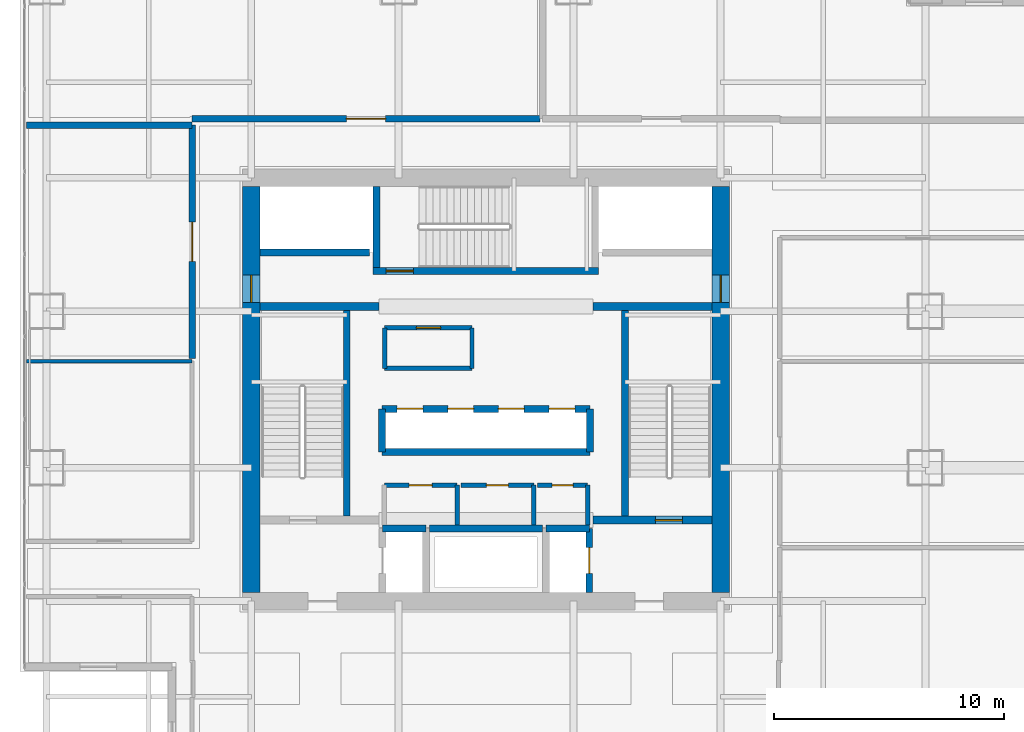
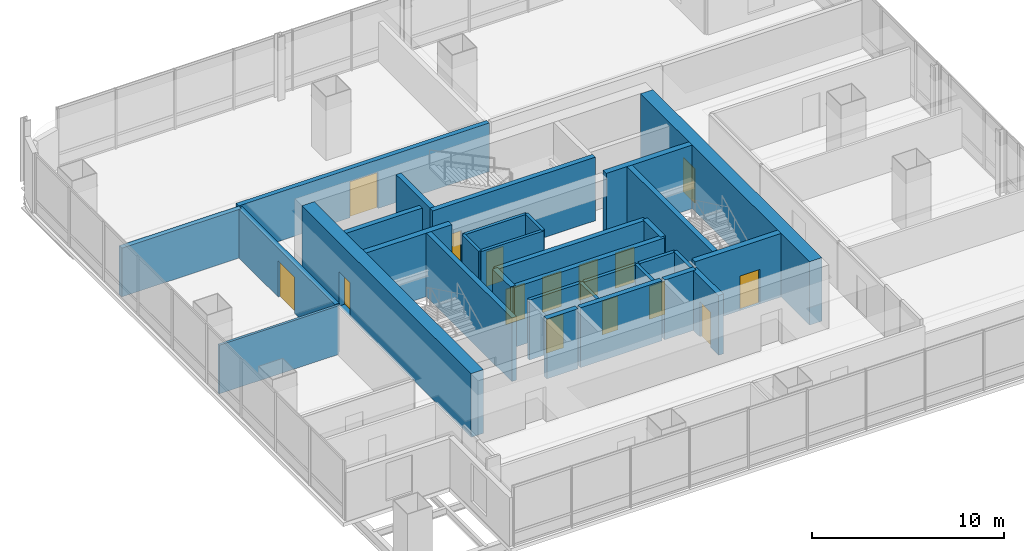
# One storey, part 28 of 35: 32 walls, 15 doors, 15 openings.
"""IFC4 building model written with IfcOpenShell, lengths in metres."""

from ifc_helpers import new_model, si_unit, direction, frame, frame_2d, origin, place, context, subcontext, project, spatial, rectangle, extrude, material, layer, layer_set, type_object, element, fill, save


model = new_model("IFC4")

# Units and contexts
model_context = context("Model", 3, precision=1e-05, world=origin(), true_north=direction((0.0, 1.0)))
body_context = subcontext(model_context, "Body", "Model", "MODEL_VIEW")
ifc_project = project(units=[si_unit("LENGTHUNIT", "METRE"), si_unit("AREAUNIT", "SQUARE_METRE"), si_unit("VOLUMEUNIT", "CUBIC_METRE"), si_unit("PLANEANGLEUNIT", "RADIAN"), si_unit("MASSUNIT", "GRAM", prefix="KILO")], contexts=[model_context])

# Site, building, storey
site_placement = place(None, origin())
site = spatial("IfcSite", under=ifc_project, at=site_placement, CompositionType="ELEMENT")
building_placement = place(site_placement, origin())
building = spatial("IfcBuilding", under=site, at=building_placement, Name="Punatoya Terracotta Tower", CompositionType="ELEMENT")
storey_placement = place(building_placement, frame((0.0, 0.0, 113.25)))
storey = spatial("IfcBuildingStorey", under=building, at=storey_placement, Name="L26", CompositionType="ELEMENT", Elevation=113.25)

# Wall
ifc_material_1 = material(Name="Concrete C40/50", Category="concrete")
ifc_layer_1 = layer(ifc_material_1, 0.280029296875)
ifc_layer_set_1 = layer_set([ifc_layer_1], Name="Concrete C40/50")
wall_type_1 = type_object("IfcWallType", Name="WL-AUD-280", PredefinedType="SOLIDWALL", material=ifc_layer_set_1)
wall_1_placement = place(storey_placement, frame((-19.969970703125, 11.489990234375, 0.0), z_axis=(0.0, 0.0, 1.0), x_axis=(1.0, 0.0, 0.0)))
element("IfcWall", 1, at=wall_1_placement, inside=storey, type_object=wall_type_1, Name="L26 Open-Plan Waterfront Club Lounge Partition 32", PredefinedType="SOLIDWALL", context=body_context, shape_type="SweptSolid", body=[
    extrude(rectangle(XDim=7.199951171875, YDim=0.280029296875, at=frame_2d((3.60009765625, 0.0))), origin(), (0.0, 0.0, 1.0), 3.10400390625),
])

# Wall, opening, door
wall_2_placement = place(storey_placement, frame((-12.77001953125, 11.489990234375, 0.0), z_axis=(0.0, 0.0, 1.0), x_axis=(0.0, -1.0, 0.0)))
wall_2 = element("IfcWall", 2, at=wall_2_placement, inside=storey, type_object=wall_type_1, Name="L26 Open-Plan Waterfront Club Lounge Partition 33", PredefinedType="SOLIDWALL", context=body_context, shape_type="SweptSolid", body=[
    extrude(rectangle(XDim=10.139892578125, YDim=0.280029296875, at=frame_2d((5.06982421875, 0.0))), origin(), (0.0, 0.0, 1.0), 3.10400390625),
])
opening_1_placement = place(wall_2_placement, frame((4.219970703125, 0.0, 0.0)))
opening_1 = element("IfcOpeningElement", 3, at=opening_1_placement, cuts=wall_2, Name="Opening FD-D1", PredefinedType="OPENING", context=body_context, shape_type="SweptSolid", body=[
    extrude(rectangle(XDim=1.699951171875, YDim=2.300048828125, at=frame_2d((0.85009765625, 1.14990234375))), frame((0.0, 0.14990234375, 0.0), z_axis=(0.0, -1.0, 0.0), x_axis=(1.0, 0.0, 0.0)), (0.0, 0.0, 1.0), 0.300048828125),
])
ifc_material_2 = material(Name="Timber Teak Veneer Fire Leaf", Category="wood")
door_type_1 = type_object("IfcDoorType", Name="DR-DIN-1700", OperationType="NOTDEFINED", PredefinedType="DOOR", material=ifc_material_2)
door_1_placement = place(opening_1_placement, origin())
door_1 = element("IfcDoor", 4, at=door_1_placement, inside=storey, type_object=door_type_1, Name="L26 Open-Plan Waterfront Club Lounge Fire Door", OperationType="DOUBLE_DOOR_SINGLE_SWING", OverallHeight=2.300048828125, OverallWidth=1.699951171875, PredefinedType="DOOR", context=body_context, shape_type="SweptSolid", body=[
    extrude(rectangle(XDim=1.699951171875, YDim=2.300048828125, at=frame_2d((0.85009765625, 1.14990234375))), frame((0.0, 0.02490234375, 0.0), z_axis=(0.0, -1.0, 0.0), x_axis=(1.0, 0.0, 0.0)), (0.0, 0.0, 1.0), 0.050048828125),
])
fill(opening_1, door_1)

wall_3_placement = place(storey_placement, frame((2.340087890625, 11.77001953125, 0.0), z_axis=(0.0, 0.0, 1.0), x_axis=(-1.0, 0.0, 0.0)))
wall_3 = element("IfcWall", 5, at=wall_3_placement, inside=storey, type_object=wall_type_1, Name="L26 Hospitality Hosting Lounge Partition 37", PredefinedType="SOLIDWALL", context=body_context, shape_type="SweptSolid", body=[
    extrude(rectangle(XDim=15.110107421875, YDim=0.280029296875, at=frame_2d((7.55517578125, 0.0))), origin(), (0.0, 0.0, 1.0), 3.10400390625),
])
opening_2_placement = place(wall_3_placement, frame((6.705078125, 0.0, 0.0)))
opening_2 = element("IfcOpeningElement", 6, at=opening_2_placement, cuts=wall_3, Name="Opening FD-D1", PredefinedType="OPENING", context=body_context, shape_type="SweptSolid", body=[
    extrude(rectangle(XDim=1.699951171875, YDim=2.300048828125, at=frame_2d((0.85009765625, 1.14990234375))), frame((0.0, 0.14990234375, 0.0), z_axis=(0.0, -1.0, 0.0), x_axis=(1.0, 0.0, 0.0)), (0.0, 0.0, 1.0), 0.300048828125),
])
door_2_placement = place(opening_2_placement, origin())
door_2 = element("IfcDoor", 7, at=door_2_placement, inside=storey, type_object=door_type_1, Name="L26 Hospitality Hosting Lounge Fire Door", OperationType="DOUBLE_DOOR_SINGLE_SWING", OverallHeight=2.300048828125, OverallWidth=1.699951171875, PredefinedType="DOOR", context=body_context, shape_type="SweptSolid", body=[
    extrude(rectangle(XDim=1.699951171875, YDim=2.300048828125, at=frame_2d((0.85009765625, 1.14990234375))), frame((0.0, 0.02490234375, 0.0), z_axis=(0.0, -1.0, 0.0), x_axis=(1.0, 0.0, 0.0)), (0.0, 0.0, 1.0), 0.050048828125),
])
fill(opening_2, door_2)

ifc_material_3 = material(Name="Concrete C60/75", Category="concrete")
ifc_layer_2 = layer(ifc_material_3, 0.75)
ifc_layer_set_2 = layer_set([ifc_layer_2], Name="Concrete C60/75")
wall_type_2 = type_object("IfcWallType", Name="WL-COR-750", PredefinedType="SHEAR", material=ifc_layer_set_2)
wall_4_placement = place(storey_placement, frame((-10.199951171875, -8.824951171875, 0.0), z_axis=(0.0, 0.0, 1.0), x_axis=(0.0, 1.0, 0.0)))
wall_4 = element("IfcWall", 8, at=wall_4_placement, inside=storey, type_object=wall_type_2, Name="L26 Core Shear Wall W", PredefinedType="SHEAR", context=body_context, shape_type="SweptSolid", body=[
    extrude(rectangle(XDim=17.64990234375, YDim=0.75, at=frame_2d((8.824951171875, 0.0))), origin(), (0.0, 0.0, 1.0), 4.050048828125),
])
opening_3_placement = place(wall_4_placement, frame((12.614990234375, 0.0, 0.0)))
opening_3 = element("IfcOpeningElement", 9, at=opening_3_placement, cuts=wall_4, Name="Opening SD-01", PredefinedType="OPENING", context=body_context, shape_type="SweptSolid", body=[
    extrude(rectangle(XDim=1.179931640625, YDim=2.199951171875, at=frame_2d((0.58984375, 1.10009765625))), frame((0.0, 0.385009765625, 0.0), z_axis=(0.0, -1.0, 0.0), x_axis=(1.0, 0.0, 0.0)), (0.0, 0.0, 1.0), 0.77001953125),
])
ifc_material_4 = material(Name="Galvanised Steel Pressurized Stair Fire Door", Category="steel")
door_type_2 = type_object("IfcDoorType", Name="DR-STR-1180", OperationType="NOTDEFINED", PredefinedType="DOOR", material=ifc_material_4)
door_3_placement = place(opening_3_placement, origin())
door_3 = element("IfcDoor", 10, at=door_3_placement, inside=storey, type_object=door_type_2, Name="L26 Central Lift Lobby West Fire Door", OperationType="SINGLE_SWING_LEFT", OverallHeight=2.199951171875, OverallWidth=1.179931640625, PredefinedType="DOOR", context=body_context, shape_type="SweptSolid", body=[
    extrude(rectangle(XDim=1.179931640625, YDim=2.199951171875, at=frame_2d((0.58984375, 1.10009765625))), frame((0.0, 0.02490234375, 0.0), z_axis=(0.0, -1.0, 0.0), x_axis=(1.0, 0.0, 0.0)), (0.0, 0.0, 1.0), 0.050048828125),
])
fill(opening_3, door_3)

wall_5_placement = place(storey_placement, frame((10.199951171875, 8.824951171875, 0.0), z_axis=(0.0, 0.0, 1.0), x_axis=(0.0, -1.0, 0.0)))
wall_5 = element("IfcWall", 11, at=wall_5_placement, inside=storey, type_object=wall_type_2, Name="L26 Core Shear Wall E", PredefinedType="SHEAR", context=body_context, shape_type="SweptSolid", body=[
    extrude(rectangle(XDim=17.64990234375, YDim=0.75, at=frame_2d((8.824951171875, 0.0))), origin(), (0.0, 0.0, 1.0), 4.050048828125),
])
opening_4_placement = place(wall_5_placement, frame((3.85498046875, 0.0, 0.0)))
opening_4 = element("IfcOpeningElement", 12, at=opening_4_placement, cuts=wall_5, Name="Opening SD-01", PredefinedType="OPENING", context=body_context, shape_type="SweptSolid", body=[
    extrude(rectangle(XDim=1.179931640625, YDim=2.199951171875, at=frame_2d((0.58984375, 1.10009765625))), frame((0.0, 0.385009765625, 0.0), z_axis=(0.0, -1.0, 0.0), x_axis=(1.0, 0.0, 0.0)), (0.0, 0.0, 1.0), 0.77001953125),
])
door_4_placement = place(opening_4_placement, origin())
door_4 = element("IfcDoor", 13, at=door_4_placement, inside=storey, type_object=door_type_2, Name="L26 Central Lift Lobby East Fire Door", OperationType="SINGLE_SWING_RIGHT", OverallHeight=2.199951171875, OverallWidth=1.179931640625, PredefinedType="DOOR", context=body_context, shape_type="SweptSolid", body=[
    extrude(rectangle(XDim=1.179931640625, YDim=2.199951171875, at=frame_2d((0.58984375, 1.10009765625))), frame((0.0, 0.02490234375, 0.0), z_axis=(0.0, -1.0, 0.0), x_axis=(1.0, 0.0, 0.0)), (0.0, 0.0, 1.0), 0.050048828125),
])
fill(opening_4, door_4)

# Wall
ifc_material_5 = material(Name="Gypsum Fireboard + Steel Stud", Category="steel")
ifc_layer_3 = layer(ifc_material_5, 0.179931640625)
ifc_layer_set_3 = layer_set([ifc_layer_3], Name="Gypsum Fireboard + Steel Stud")
wall_type_3 = type_object("IfcWallType", Name="WL-CORR-180", PredefinedType="PARTITIONING", material=ifc_layer_set_3)
wall_6_placement = place(storey_placement, frame((-0.60009765625, 0.919921875, 0.0), z_axis=(0.0, 0.0, 1.0), x_axis=(0.0, 1.0, 0.0)))
element("IfcWall", 14, at=wall_6_placement, inside=storey, type_object=wall_type_3, Name="L26 West Core Archive Office Partition 08", PredefinedType="PARTITIONING", context=body_context, shape_type="SweptSolid", body=[
    extrude(rectangle(XDim=1.760009765625, YDim=0.179931640625, at=frame_2d((0.8798828125, 0.0))), origin(), (0.0, 0.0, 1.0), 3.81005859375),
])

# Wall, opening, door
wall_7_placement = place(storey_placement, frame((-0.60009765625, 2.679931640625, 0.0), z_axis=(0.0, 0.0, 1.0), x_axis=(-1.0, 0.0, 0.0)))
wall_7 = element("IfcWall", 15, at=wall_7_placement, inside=storey, type_object=wall_type_3, Name="L26 West Core Archive Office Partition 09", PredefinedType="PARTITIONING", context=body_context, shape_type="SweptSolid", body=[
    extrude(rectangle(XDim=3.7998046875, YDim=0.179931640625, at=frame_2d((1.89990234375, 0.0))), origin(), (0.0, 0.0, 1.0), 3.81005859375),
])
opening_5_placement = place(wall_7_placement, frame((1.375, 0.0, 0.0)))
opening_5 = element("IfcOpeningElement", 16, at=opening_5_placement, cuts=wall_7, Name="Opening OD-01", PredefinedType="OPENING", context=body_context, shape_type="SweptSolid", body=[
    extrude(rectangle(XDim=1.050048828125, YDim=2.199951171875, at=frame_2d((0.52490234375, 1.10009765625))), frame((0.0, 0.099853515625, 0.0), z_axis=(0.0, -1.0, 0.0), x_axis=(1.0, 0.0, 0.0)), (0.0, 0.0, 1.0), 0.199951171875),
])
ifc_material_6 = material(Name="Bengal Teak Solid-Core Leaf")
door_type_3 = type_object("IfcDoorType", Name="DR-OFF-1050", OperationType="NOTDEFINED", PredefinedType="DOOR", material=ifc_material_6)
door_5_placement = place(opening_5_placement, origin())
door_5 = element("IfcDoor", 17, at=door_5_placement, inside=storey, type_object=door_type_3, Name="L26 West Archive Office Door", OperationType="SINGLE_SWING_RIGHT", OverallHeight=2.199951171875, OverallWidth=1.050048828125, PredefinedType="DOOR", context=body_context, shape_type="SweptSolid", body=[
    extrude(rectangle(XDim=1.050048828125, YDim=2.199951171875, at=frame_2d((0.52490234375, 1.10009765625))), frame((0.0, 0.02490234375, 0.0), z_axis=(0.0, -1.0, 0.0), x_axis=(1.0, 0.0, 0.0)), (0.0, 0.0, 1.0), 0.050048828125),
])
fill(opening_5, door_5)

# Walls
wall_8_placement = place(storey_placement, frame((-4.39990234375, 2.679931640625, 0.0), z_axis=(0.0, 0.0, 1.0), x_axis=(0.0, -1.0, 0.0)))
element("IfcWall", 18, at=wall_8_placement, inside=storey, type_object=wall_type_3, Name="L26 West Core Archive Office Partition 10", PredefinedType="PARTITIONING", context=body_context, shape_type="SweptSolid", body=[
    extrude(rectangle(XDim=1.760009765625, YDim=0.179931640625, at=frame_2d((0.8798828125, 0.0))), origin(), (0.0, 0.0, 1.0), 3.81005859375),
])
wall_9_placement = place(storey_placement, frame((-4.39990234375, 0.919921875, 0.0), z_axis=(0.0, 0.0, 1.0), x_axis=(1.0, 0.0, 0.0)))
element("IfcWall", 19, at=wall_9_placement, inside=storey, type_object=wall_type_3, Name="L26 West Core Archive Office Partition 11", PredefinedType="PARTITIONING", context=body_context, shape_type="SweptSolid", body=[
    extrude(rectangle(XDim=3.7998046875, YDim=0.179931640625, at=frame_2d((1.89990234375, 0.0))), origin(), (0.0, 0.0, 1.0), 3.81005859375),
])
ifc_layer_4 = layer(ifc_material_1, 0.199951171875)
ifc_layer_set_4 = layer_set([ifc_layer_4], Name="Concrete C40/50")
wall_type_4 = type_object("IfcWallType", Name="WL-INT-200", PredefinedType="SOLIDWALL", material=ifc_layer_set_4)
wall_10_placement = place(storey_placement, frame((-1.25, -5.89990234375, 0.0), z_axis=(0.0, 0.0, 1.0), x_axis=(0.0, 1.0, 0.0)))
element("IfcWall", 20, at=wall_10_placement, inside=storey, type_object=wall_type_4, Name="L26 Accessible Universal Washroom Partition 01", PredefinedType="SOLIDWALL", context=body_context, shape_type="SweptSolid", body=[
    extrude(rectangle(XDim=1.739990234375, YDim=0.199951171875, at=frame_2d((0.8701171875, 0.0))), origin(), (0.0, 0.0, 1.0), 3.81005859375),
])

# Wall, opening, door
wall_11_placement = place(storey_placement, frame((-1.25, -4.159912109375, 0.0), z_axis=(0.0, 0.0, 1.0), x_axis=(-1.0, 0.0, 0.0)))
wall_11 = element("IfcWall", 21, at=wall_11_placement, inside=storey, type_object=wall_type_4, Name="L26 Accessible Universal Washroom Partition 02", PredefinedType="SOLIDWALL", context=body_context, shape_type="SweptSolid", body=[
    extrude(rectangle(XDim=3.169921875, YDim=0.199951171875, at=frame_2d((1.5849609375, 0.0))), origin(), (0.0, 0.0, 1.0), 3.81005859375),
])
opening_6_placement = place(wall_11_placement, frame((1.0849609375, 0.0, 0.0)))
opening_6 = element("IfcOpeningElement", 22, at=opening_6_placement, cuts=wall_11, Name="Opening AWD-1", PredefinedType="OPENING", context=body_context, shape_type="SweptSolid", body=[
    extrude(rectangle(XDim=1.0, YDim=2.14990234375, at=frame_2d((0.5, 1.074951171875))), frame((0.0, 0.10986328125, 0.0), z_axis=(0.0, -1.0, 0.0), x_axis=(1.0, 0.0, 0.0)), (0.0, 0.0, 1.0), 0.219970703125),
])
ifc_material_7 = material(Name="Bengal Teak Accessible WC Leaf")
door_type_4 = type_object("IfcDoorType", Name="DR-ACC-1000", OperationType="NOTDEFINED", PredefinedType="DOOR", material=ifc_material_7)
door_6_placement = place(opening_6_placement, origin())
door_6 = element("IfcDoor", 23, at=door_6_placement, inside=storey, type_object=door_type_4, Name="L26 Accessible Universal Washroom Door", OperationType="SINGLE_SWING_LEFT", OverallHeight=2.14990234375, OverallWidth=1.0, PredefinedType="DOOR", context=body_context, shape_type="SweptSolid", body=[
    extrude(rectangle(XDim=1.0, YDim=2.14990234375, at=frame_2d((0.5, 1.074951171875))), frame((0.0, 0.02490234375, 0.0), z_axis=(0.0, -1.0, 0.0), x_axis=(1.0, 0.0, 0.0)), (0.0, 0.0, 1.0), 0.050048828125),
])
fill(opening_6, door_6)

# Wall
wall_12_placement = place(storey_placement, frame((2.080078125, -5.89990234375, 0.0), z_axis=(0.0, 0.0, 1.0), x_axis=(0.0, 1.0, 0.0)))
element("IfcWall", 24, at=wall_12_placement, inside=storey, type_object=wall_type_4, Name="L26 All-Gender Universal Washroom Partition 04", PredefinedType="SOLIDWALL", context=body_context, shape_type="SweptSolid", body=[
    extrude(rectangle(XDim=1.739990234375, YDim=0.199951171875, at=frame_2d((0.8701171875, 0.0))), origin(), (0.0, 0.0, 1.0), 3.81005859375),
])

# Wall, opening, door
wall_13_placement = place(storey_placement, frame((2.080078125, -4.159912109375, 0.0), z_axis=(0.0, 0.0, 1.0), x_axis=(-1.0, 0.0, 0.0)))
wall_13 = element("IfcWall", 25, at=wall_13_placement, inside=storey, type_object=wall_type_4, Name="L26 All-Gender Universal Washroom Partition 05", PredefinedType="SOLIDWALL", context=body_context, shape_type="SweptSolid", body=[
    extrude(rectangle(XDim=3.170166015625, YDim=0.199951171875, at=frame_2d((1.5849609375, 0.0))), origin(), (0.0, 0.0, 1.0), 3.81005859375),
])
opening_7_placement = place(wall_13_placement, frame((1.110107421875, 0.0, 0.0)))
opening_7 = element("IfcOpeningElement", 26, at=opening_7_placement, cuts=wall_13, Name="Opening WD-01", PredefinedType="OPENING", context=body_context, shape_type="SweptSolid", body=[
    extrude(rectangle(XDim=0.949951171875, YDim=2.14990234375, at=frame_2d((0.47509765625, 1.074951171875))), frame((0.0, 0.10986328125, 0.0), z_axis=(0.0, -1.0, 0.0), x_axis=(1.0, 0.0, 0.0)), (0.0, 0.0, 1.0), 0.219970703125),
])
ifc_material_8 = material(Name="Moisture-Resistant Laminate Timber Leaf", Category="wood")
door_type_5 = type_object("IfcDoorType", Name="DR-WC-950", OperationType="NOTDEFINED", PredefinedType="DOOR", material=ifc_material_8)
door_7_placement = place(opening_7_placement, origin())
door_7 = element("IfcDoor", 27, at=door_7_placement, inside=storey, type_object=door_type_5, Name="L26 All-Gender Universal Washroom Door", OperationType="SINGLE_SWING_RIGHT", OverallHeight=2.14990234375, OverallWidth=0.949951171875, PredefinedType="DOOR", context=body_context, shape_type="SweptSolid", body=[
    extrude(rectangle(XDim=0.949951171875, YDim=2.14990234375, at=frame_2d((0.47509765625, 1.074951171875))), frame((0.0, 0.02490234375, 0.0), z_axis=(0.0, -1.0, 0.0), x_axis=(1.0, 0.0, 0.0)), (0.0, 0.0, 1.0), 0.050048828125),
])
fill(opening_7, door_7)

# Wall
wall_14_placement = place(storey_placement, frame((4.419921875, -5.89990234375, 0.0), z_axis=(0.0, 0.0, 1.0), x_axis=(0.0, 1.0, 0.0)))
element("IfcWall", 28, at=wall_14_placement, inside=storey, type_object=wall_type_4, Name="L26 Core Electrical Switchgear Room Partition 06", PredefinedType="SOLIDWALL", context=body_context, shape_type="SweptSolid", body=[
    extrude(rectangle(XDim=1.739990234375, YDim=0.199951171875, at=frame_2d((0.8701171875, 0.0))), origin(), (0.0, 0.0, 1.0), 3.81005859375),
])

# Wall, opening, door
wall_15_placement = place(storey_placement, frame((4.419921875, -4.159912109375, 0.0), z_axis=(0.0, 0.0, 1.0), x_axis=(-1.0, 0.0, 0.0)))
wall_15 = element("IfcWall", 29, at=wall_15_placement, inside=storey, type_object=wall_type_4, Name="L26 Core Electrical Switchgear Room Partition 07", PredefinedType="SOLIDWALL", context=body_context, shape_type="SweptSolid", body=[
    extrude(rectangle(XDim=2.179931640625, YDim=0.199951171875, at=frame_2d((1.08984375, 0.0))), origin(), (0.0, 0.0, 1.0), 3.81005859375),
])
opening_8_placement = place(wall_15_placement, frame((0.6298828125, 0.0, 0.0)))
opening_8 = element("IfcOpeningElement", 30, at=opening_8_placement, cuts=wall_15, Name="Opening FD-R1", PredefinedType="OPENING", context=body_context, shape_type="SweptSolid", body=[
    extrude(rectangle(XDim=0.919921875, YDim=2.10009765625, at=frame_2d((0.4599609375, 1.050048828125))), frame((0.0, 0.10986328125, 0.0), z_axis=(0.0, -1.0, 0.0), x_axis=(1.0, 0.0, 0.0)), (0.0, 0.0, 1.0), 0.219970703125),
])
ifc_material_9 = material(Name="Galvanised Steel Riser Fire Access Door", Category="steel")
door_type_6 = type_object("IfcDoorType", Name="DR-RSR-920", OperationType="NOTDEFINED", PredefinedType="DOOR", material=ifc_material_9)
door_8_placement = place(opening_8_placement, origin())
door_8 = element("IfcDoor", 31, at=door_8_placement, inside=storey, type_object=door_type_6, Name="L26 Core Electrical Switchgear Room Fire Door", OperationType="SINGLE_SWING_LEFT", OverallHeight=2.10009765625, OverallWidth=0.919921875, PredefinedType="DOOR", context=body_context, shape_type="SweptSolid", body=[
    extrude(rectangle(XDim=0.919921875, YDim=2.10009765625, at=frame_2d((0.4599609375, 1.050048828125))), frame((0.0, 0.02490234375, 0.0), z_axis=(0.0, -1.0, 0.0), x_axis=(1.0, 0.0, 0.0)), (0.0, 0.0, 1.0), 0.050048828125),
])
fill(opening_8, door_8)

# Walls
ifc_material_10 = material(Name="Acoustic Gypsum + Steel Stud", Category="steel")
ifc_layer_5 = layer(ifc_material_10, 0.139892578125)
ifc_layer_set_5 = layer_set([ifc_layer_5], Name="Acoustic Gypsum + Steel Stud")
wall_type_5 = type_object("IfcWallType", Name="WL-OFF-140", PredefinedType="PARTITIONING", material=ifc_layer_set_5)
wall_16_placement = place(storey_placement, frame((-19.969970703125, 1.22998046875, 0.0), z_axis=(0.0, 0.0, 1.0), x_axis=(1.0, 0.0, 0.0)))
element("IfcWall", 32, at=wall_16_placement, inside=storey, type_object=wall_type_5, Name="L26 Open-Plan Wellness Relaxation Lounge Partition 28", PredefinedType="PARTITIONING", context=body_context, shape_type="SweptSolid", body=[
    extrude(rectangle(XDim=7.199951171875, YDim=0.139892578125, at=frame_2d((3.60009765625, 0.0))), origin(), (0.0, 0.0, 1.0), 3.10400390625),
])
ifc_layer_6 = layer(ifc_material_1, 0.300048828125)
ifc_layer_set_6 = layer_set([ifc_layer_6], Name="Concrete C40/50")
wall_type_6 = type_object("IfcWallType", Name="WL-SHF-300", PredefinedType="SOLIDWALL", material=ifc_layer_set_6)
for number, where, z_axis, x_axis, name in (
    (33, (-6.050048828125, -5.5, 0.0), (0.0, 0.0, 1.0), (0.0, 1.0, 0.0), "L26 Structural Stair Shaft Wall SW-ST1-E"),
    (34, (6.050048828125, 3.449951171875, 0.0), (0.0, 0.0, 1.0), (0.0, -1.0, 0.0), "L26 Structural Stair Shaft Wall SW-ST2-W"),
):
    element("IfcWall", number, at=place(storey_placement, frame(where, z_axis=z_axis, x_axis=x_axis)), inside=storey, type_object=wall_type_6, Name=name, PredefinedType="SOLIDWALL", context=body_context, shape_type="SweptSolid", body=[
        extrude(rectangle(XDim=8.949951171875, YDim=0.300048828125, at=frame_2d((4.47509765625, 0.0))), origin(), (0.0, 0.0, 1.0), 4.050048828125),
    ])
wall_17_placement = place(storey_placement, frame((-4.75, 5.300048828125, 0.0), z_axis=(0.0, 0.0, 1.0), x_axis=(0.0, 1.0, 0.0)))
element("IfcWall", 35, at=wall_17_placement, inside=storey, type_object=wall_type_6, Name="L26 Structural Stair Shaft Wall SW-ST3-W", PredefinedType="SOLIDWALL", context=body_context, shape_type="SweptSolid", body=[
    extrude(rectangle(XDim=3.52490234375, YDim=0.300048828125, at=frame_2d((1.762451171875, 0.0))), origin(), (0.0, 0.0, 1.0), 4.050048828125),
])

# Wall, opening, door
wall_18_placement = place(storey_placement, frame((-4.89990234375, 5.14990234375, 0.0), z_axis=(0.0, 0.0, 1.0), x_axis=(1.0, 0.0, 0.0)))
wall_18 = element("IfcWall", 36, at=wall_18_placement, inside=storey, type_object=wall_type_6, Name="L26 Structural Stair Shaft Wall SW-ST3-S", PredefinedType="SOLIDWALL", context=body_context, shape_type="SweptSolid", body=[
    extrude(rectangle(XDim=9.7998046875, YDim=0.300048828125, at=frame_2d((4.89990234375, 0.0))), origin(), (0.0, 0.0, 1.0), 4.050048828125),
])
opening_9_placement = place(wall_18_placement, frame((0.56005859375, 0.0, 0.0)))
opening_9 = element("IfcOpeningElement", 37, at=opening_9_placement, cuts=wall_18, Name="Opening SD-01", PredefinedType="OPENING", context=body_context, shape_type="SweptSolid", body=[
    extrude(rectangle(XDim=1.179931640625, YDim=2.199951171875, at=frame_2d((0.58984375, 1.10009765625))), frame((0.0, 0.159912109375, 0.0), z_axis=(0.0, -1.0, 0.0), x_axis=(1.0, 0.0, 0.0)), (0.0, 0.0, 1.0), 0.320068359375),
])
door_9_placement = place(opening_9_placement, origin())
door_9 = element("IfcDoor", 38, at=door_9_placement, inside=storey, type_object=door_type_2, Name="L26 Stair ST-3 Core Lobby Fire Door", OperationType="SINGLE_SWING_LEFT", OverallHeight=2.199951171875, OverallWidth=1.179931640625, PredefinedType="DOOR", context=body_context, shape_type="SweptSolid", body=[
    extrude(rectangle(XDim=1.179931640625, YDim=2.199951171875, at=frame_2d((0.58984375, 1.10009765625))), frame((0.0, 0.02490234375, 0.0), z_axis=(0.0, -1.0, 0.0), x_axis=(1.0, 0.0, 0.0)), (0.0, 0.0, 1.0), 0.050048828125),
])
fill(opening_9, door_9)

# Wall
wall_19_placement = place(storey_placement, frame((-4.489990234375, -6.050048828125, 0.0), z_axis=(0.0, 0.0, 1.0), x_axis=(1.0, 0.0, 0.0)))
element("IfcWall", 39, at=wall_19_placement, inside=storey, type_object=wall_type_6, Name="L26 FFL-1 North Hoistway Wall", PredefinedType="SOLIDWALL", context=body_context, shape_type="SweptSolid", body=[
    extrude(rectangle(XDim=1.8798828125, YDim=0.300048828125, at=frame_2d((0.93994140625, 0.0))), origin(), (0.0, 0.0, 1.0), 3.81005859375),
])

# Wall, opening, door
wall_20_placement = place(storey_placement, frame((4.489990234375, -8.820068359375, 0.0), z_axis=(0.0, 0.0, 1.0), x_axis=(0.0, 1.0, 0.0)))
wall_20 = element("IfcWall", 40, at=wall_20_placement, inside=storey, type_object=wall_type_6, Name="L26 FFL-2 Front Hoistway Wall", PredefinedType="SOLIDWALL", context=body_context, shape_type="SweptSolid", body=[
    extrude(rectangle(XDim=2.77001953125, YDim=0.300048828125, at=frame_2d((1.385009765625, 0.0))), origin(), (0.0, 0.0, 1.0), 3.81005859375),
])
opening_10_placement = place(wall_20_placement, frame((0.824951171875, 0.0, 0.0)))
opening_10 = element("IfcOpeningElement", 41, at=opening_10_placement, cuts=wall_20, Name="Opening LD-02", PredefinedType="OPENING", context=body_context, shape_type="SweptSolid", body=[
    extrude(rectangle(XDim=1.1201171875, YDim=2.25, at=frame_2d((0.56005859375, 1.125))), frame((0.0, 0.159912109375, 0.0), z_axis=(0.0, -1.0, 0.0), x_axis=(1.0, 0.0, 0.0)), (0.0, 0.0, 1.0), 0.320068359375),
])
ifc_material_11 = material(Name="Stainless Steel Lift Landing Door", Category="steel")
door_type_7 = type_object("IfcDoorType", Name="DR-LND-1120", OperationType="NOTDEFINED", PredefinedType="DOOR", material=ifc_material_11)
door_10_placement = place(opening_10_placement, origin())
door_10 = element("IfcDoor", 42, at=door_10_placement, inside=storey, type_object=door_type_7, Name="L26 Firefighting Lift FFL-2 Sliding Landing Door", OperationType="SLIDING_TO_RIGHT", OverallHeight=2.25, OverallWidth=1.1201171875, PredefinedType="DOOR", context=body_context, shape_type="SweptSolid", body=[
    extrude(rectangle(XDim=1.1201171875, YDim=2.25, at=frame_2d((0.56005859375, 1.125))), frame((0.0, 0.02490234375, 0.0), z_axis=(0.0, -1.0, 0.0), x_axis=(1.0, 0.0, 0.0)), (0.0, 0.0, 1.0), 0.050048828125),
])
fill(opening_10, door_10)

# Wall
wall_21_placement = place(storey_placement, frame((2.610107421875, -6.050048828125, 0.0), z_axis=(0.0, 0.0, 1.0), x_axis=(1.0, 0.0, 0.0)))
element("IfcWall", 43, at=wall_21_placement, inside=storey, type_object=wall_type_6, Name="L26 FFL-2 North Hoistway Wall", PredefinedType="SOLIDWALL", context=body_context, shape_type="SweptSolid", body=[
    extrude(rectangle(XDim=1.8798828125, YDim=0.300048828125, at=frame_2d((0.93994140625, 0.0))), origin(), (0.0, 0.0, 1.0), 3.81005859375),
])

# Wall, openings, doors
wall_22_placement = place(storey_placement, frame((-4.52001953125, -0.840087890625, 0.0), z_axis=(0.0, 0.0, 1.0), x_axis=(1.0, 0.0, 0.0)))
wall_22 = element("IfcWall", 44, at=wall_22_placement, inside=storey, type_object=wall_type_6, Name="L26 South Lift Bank Front Shaft Wall", PredefinedType="SOLIDWALL", context=body_context, shape_type="SweptSolid", body=[
    extrude(rectangle(XDim=9.0400390625, YDim=0.300048828125, at=frame_2d((4.52001953125, 0.0))), origin(), (0.0, 0.0, 1.0), 3.81005859375),
])
opening_11_placement = place(wall_22_placement, frame((0.659912109375, 0.0, 0.0)))
opening_11 = element("IfcOpeningElement", 45, at=opening_11_placement, cuts=wall_22, Name="Opening LD-02", PredefinedType="OPENING", context=body_context, shape_type="SweptSolid", body=[
    extrude(rectangle(XDim=1.1201171875, YDim=2.25, at=frame_2d((0.56005859375, 1.125))), frame((0.0, 0.159912109375, 0.0), z_axis=(0.0, -1.0, 0.0), x_axis=(1.0, 0.0, 0.0)), (0.0, 0.0, 1.0), 0.320068359375),
])
opening_12_placement = place(wall_22_placement, frame((2.860107421875, 0.0, 0.0)))
opening_12 = element("IfcOpeningElement", 46, at=opening_12_placement, cuts=wall_22, Name="Opening LD-02", PredefinedType="OPENING", context=body_context, shape_type="SweptSolid", body=[
    extrude(rectangle(XDim=1.1201171875, YDim=2.25, at=frame_2d((0.56005859375, 1.125))), frame((0.0, 0.159912109375, 0.0), z_axis=(0.0, -1.0, 0.0), x_axis=(1.0, 0.0, 0.0)), (0.0, 0.0, 1.0), 0.320068359375),
])
opening_13_placement = place(wall_22_placement, frame((5.06005859375, 0.0, 0.0)))
opening_13 = element("IfcOpeningElement", 47, at=opening_13_placement, cuts=wall_22, Name="Opening LD-02", PredefinedType="OPENING", context=body_context, shape_type="SweptSolid", body=[
    extrude(rectangle(XDim=1.1201171875, YDim=2.25, at=frame_2d((0.56005859375, 1.125))), frame((0.0, 0.159912109375, 0.0), z_axis=(0.0, -1.0, 0.0), x_axis=(1.0, 0.0, 0.0)), (0.0, 0.0, 1.0), 0.320068359375),
])
opening_14_placement = place(wall_22_placement, frame((7.260009765625, 0.0, 0.0)))
opening_14 = element("IfcOpeningElement", 48, at=opening_14_placement, cuts=wall_22, Name="Opening LD-02", PredefinedType="OPENING", context=body_context, shape_type="SweptSolid", body=[
    extrude(rectangle(XDim=1.1201171875, YDim=2.25, at=frame_2d((0.56005859375, 1.125))), frame((0.0, 0.159912109375, 0.0), z_axis=(0.0, -1.0, 0.0), x_axis=(1.0, 0.0, 0.0)), (0.0, 0.0, 1.0), 0.320068359375),
])
door_11_placement = place(opening_11_placement, origin())
door_11 = element("IfcDoor", 49, at=door_11_placement, inside=storey, type_object=door_type_7, Name="L26 Lift PL-L1 Sliding Landing Door", OperationType="DOUBLE_DOOR_SLIDING", OverallHeight=2.25, OverallWidth=1.1201171875, PredefinedType="DOOR", context=body_context, shape_type="SweptSolid", body=[
    extrude(rectangle(XDim=1.1201171875, YDim=2.25, at=frame_2d((0.56005859375, 1.125))), frame((0.0, 0.02490234375, 0.0), z_axis=(0.0, -1.0, 0.0), x_axis=(1.0, 0.0, 0.0)), (0.0, 0.0, 1.0), 0.050048828125),
])
fill(opening_11, door_11)
door_12_placement = place(opening_12_placement, origin())
door_12 = element("IfcDoor", 50, at=door_12_placement, inside=storey, type_object=door_type_7, Name="L26 Lift PL-L2 Sliding Landing Door", OperationType="DOUBLE_DOOR_SLIDING", OverallHeight=2.25, OverallWidth=1.1201171875, PredefinedType="DOOR", context=body_context, shape_type="SweptSolid", body=[
    extrude(rectangle(XDim=1.1201171875, YDim=2.25, at=frame_2d((0.56005859375, 1.125))), frame((0.0, 0.02490234375, 0.0), z_axis=(0.0, -1.0, 0.0), x_axis=(1.0, 0.0, 0.0)), (0.0, 0.0, 1.0), 0.050048828125),
])
fill(opening_12, door_12)
door_13_placement = place(opening_13_placement, origin())
door_13 = element("IfcDoor", 51, at=door_13_placement, inside=storey, type_object=door_type_7, Name="L26 Lift PL-L3 Sliding Landing Door", OperationType="DOUBLE_DOOR_SLIDING", OverallHeight=2.25, OverallWidth=1.1201171875, PredefinedType="DOOR", context=body_context, shape_type="SweptSolid", body=[
    extrude(rectangle(XDim=1.1201171875, YDim=2.25, at=frame_2d((0.56005859375, 1.125))), frame((0.0, 0.02490234375, 0.0), z_axis=(0.0, -1.0, 0.0), x_axis=(1.0, 0.0, 0.0)), (0.0, 0.0, 1.0), 0.050048828125),
])
fill(opening_13, door_13)
door_14_placement = place(opening_14_placement, origin())
door_14 = element("IfcDoor", 52, at=door_14_placement, inside=storey, type_object=door_type_7, Name="L26 Lift PL-L4 Sliding Landing Door", OperationType="DOUBLE_DOOR_SLIDING", OverallHeight=2.25, OverallWidth=1.1201171875, PredefinedType="DOOR", context=body_context, shape_type="SweptSolid", body=[
    extrude(rectangle(XDim=1.1201171875, YDim=2.25, at=frame_2d((0.56005859375, 1.125))), frame((0.0, 0.02490234375, 0.0), z_axis=(0.0, -1.0, 0.0), x_axis=(1.0, 0.0, 0.0)), (0.0, 0.0, 1.0), 0.050048828125),
])
fill(opening_14, door_14)

# Walls
wall_23_placement = place(storey_placement, frame((-4.52001953125, -2.719970703125, 0.0), z_axis=(0.0, 0.0, 1.0), x_axis=(1.0, 0.0, 0.0)))
element("IfcWall", 53, at=wall_23_placement, inside=storey, type_object=wall_type_6, Name="L26 South Lift Bank Rear Shaft Wall", PredefinedType="SOLIDWALL", context=body_context, shape_type="SweptSolid", body=[
    extrude(rectangle(XDim=9.0400390625, YDim=0.300048828125, at=frame_2d((4.52001953125, 0.0))), origin(), (0.0, 0.0, 1.0), 3.81005859375),
])
for number, where, z_axis, x_axis, name in (
    (54, (-4.52001953125, -2.719970703125, 0.0), (0.0, 0.0, 1.0), (0.0, 1.0, 0.0), "L26 South Lift Bank West End Wall"),
    (55, (4.52001953125, -2.719970703125, 0.0), (0.0, 0.0, 1.0), (0.0, 1.0, 0.0), "L26 South Lift Bank East End Wall"),
):
    element("IfcWall", number, at=place(storey_placement, frame(where, z_axis=z_axis, x_axis=x_axis)), inside=storey, type_object=wall_type_6, Name=name, PredefinedType="SOLIDWALL", context=body_context, shape_type="SweptSolid", body=[
        extrude(rectangle(XDim=1.8798828125, YDim=0.300048828125, at=frame_2d((0.93994140625, 0.0))), origin(), (0.0, 0.0, 1.0), 3.81005859375),
    ])
wall_24_placement = place(storey_placement, frame((-9.820068359375, 5.949951171875, 0.0), z_axis=(0.0, 0.0, 1.0), x_axis=(1.0, 0.0, 0.0)))
element("IfcWall", 56, at=wall_24_placement, inside=storey, type_object=wall_type_6, Name="L26 Shuttle SL-1 South Hoistway Wall", PredefinedType="SOLIDWALL", context=body_context, shape_type="SweptSolid", body=[
    extrude(rectangle(XDim=4.760009765625, YDim=0.300048828125, at=frame_2d((2.3798828125, 0.0))), origin(), (0.0, 0.0, 1.0), 3.81005859375),
])
wall_25_placement = place(storey_placement, frame((-2.449951171875, -6.050048828125, 0.0), z_axis=(0.0, 0.0, 1.0), x_axis=(1.0, 0.0, 0.0)))
element("IfcWall", 57, at=wall_25_placement, inside=storey, type_object=wall_type_6, Name="L26 Observation Shuttle Rear Hoistway Wall", PredefinedType="SOLIDWALL", context=body_context, shape_type="SweptSolid", body=[
    extrude(rectangle(XDim=4.89990234375, YDim=0.300048828125, at=frame_2d((2.449951171875, 0.0))), origin(), (0.0, 0.0, 1.0), 3.81005859375),
])

# Wall, opening, door
ifc_material_12 = material(Name="Concrete C50/60", Category="concrete")
ifc_layer_7 = layer(ifc_material_12, 0.35009765625)
ifc_layer_set_7 = layer_set([ifc_layer_7], Name="Concrete C50/60")
wall_type_7 = type_object("IfcWallType", Name="WL-SHF-350", PredefinedType="SOLIDWALL", material=ifc_layer_set_7)
wall_26_placement = place(storey_placement, frame((4.64990234375, -5.679931640625, 0.0), z_axis=(0.0, 0.0, 1.0), x_axis=(1.0, 0.0, 0.0)))
wall_26 = element("IfcWall", 58, at=wall_26_placement, inside=storey, type_object=wall_type_7, Name="L26 Core Web Wall CSW-R", PredefinedType="SOLIDWALL", context=body_context, shape_type="SweptSolid", body=[
    extrude(rectangle(XDim=5.175048828125, YDim=0.35009765625, at=frame_2d((2.58740234375, 0.0))), origin(), (0.0, 0.0, 1.0), 4.050048828125),
])
opening_15_placement = place(wall_26_placement, frame((2.7099609375, 0.0, 0.0)))
opening_15 = element("IfcOpeningElement", 59, at=opening_15_placement, cuts=wall_26, Name="Opening SD-01", PredefinedType="OPENING", context=body_context, shape_type="SweptSolid", body=[
    extrude(rectangle(XDim=1.179931640625, YDim=2.199951171875, at=frame_2d((0.58984375, 1.10009765625))), frame((0.0, 0.18505859375, 0.0), z_axis=(0.0, -1.0, 0.0), x_axis=(1.0, 0.0, 0.0)), (0.0, 0.0, 1.0), 0.3701171875),
])
door_15_placement = place(opening_15_placement, origin())
door_15 = element("IfcDoor", 60, at=door_15_placement, inside=storey, type_object=door_type_2, Name="L26 Stair ST-2 Smokeproof Lobby Fire Door", OperationType="SINGLE_SWING_RIGHT", OverallHeight=2.199951171875, OverallWidth=1.179931640625, PredefinedType="DOOR", context=body_context, shape_type="SweptSolid", body=[
    extrude(rectangle(XDim=1.179931640625, YDim=2.199951171875, at=frame_2d((0.58984375, 1.10009765625))), frame((0.0, 0.02490234375, 0.0), z_axis=(0.0, -1.0, 0.0), x_axis=(1.0, 0.0, 0.0)), (0.0, 0.0, 1.0), 0.050048828125),
])
fill(opening_15, door_15)

# Walls
for number, where, z_axis, x_axis, name in (
    (61, (-9.824951171875, 3.60009765625, 0.0), (0.0, 0.0, 1.0), (1.0, 0.0, 0.0), "L26 Core Web Wall CNW-L"),
    (62, (4.64990234375, 3.60009765625, 0.0), (0.0, 0.0, 1.0), (1.0, 0.0, 0.0), "L26 Core Web Wall CNW-R"),
):
    element("IfcWall", number, at=place(storey_placement, frame(where, z_axis=z_axis, x_axis=x_axis)), inside=storey, type_object=wall_type_7, Name=name, PredefinedType="SOLIDWALL", context=body_context, shape_type="SweptSolid", body=[
        extrude(rectangle(XDim=5.175048828125, YDim=0.35009765625, at=frame_2d((2.58740234375, 0.0))), origin(), (0.0, 0.0, 1.0), 4.050048828125),
    ])

save(model, "model.ifc")
